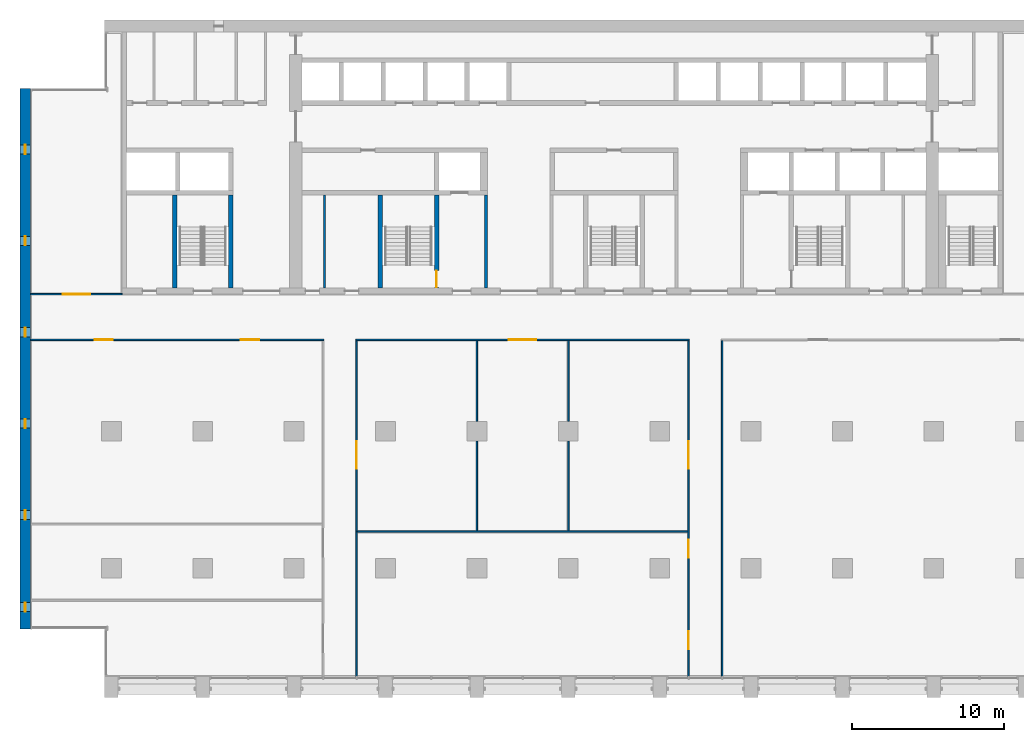
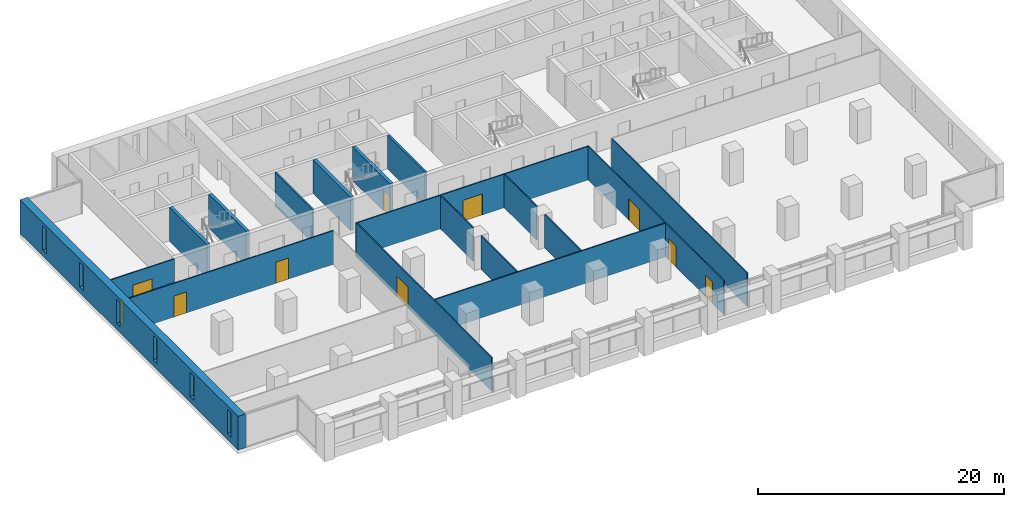
# One storey, part 8 of 15: 18 walls, 9 doors, 6 windows, 15 openings.
"""IFC4 building model written with IfcOpenShell, lengths in metres."""

from ifc_helpers import new_model, si_unit, direction, frame, frame_2d, origin, place, context, subcontext, project, spatial, rectangle, extrude, material, layer, layer_set, type_object, element, fill, save


model = new_model("IFC4")

# Units and contexts
model_context = context("Model", 3, precision=1e-05, world=origin(), true_north=direction((0.0, 1.0)))
body_context = subcontext(model_context, "Body", "Model", "MODEL_VIEW")
ifc_project = project(units=[si_unit("LENGTHUNIT", "METRE"), si_unit("AREAUNIT", "SQUARE_METRE"), si_unit("VOLUMEUNIT", "CUBIC_METRE"), si_unit("PLANEANGLEUNIT", "RADIAN"), si_unit("MASSUNIT", "GRAM", prefix="KILO")], contexts=[model_context])

# Site, building, storey
site_placement = place(None, origin())
site = spatial("IfcSite", under=ifc_project, at=site_placement, CompositionType="ELEMENT")
building_placement = place(site_placement, origin())
building = spatial("IfcBuilding", under=site, at=building_placement, Name="Calvaro Tower", CompositionType="ELEMENT")
storey_placement = place(building_placement, frame((0.0, 0.0, 125.0)))
storey = spatial("IfcBuildingStorey", under=building, at=storey_placement, Name="L31", CompositionType="ELEMENT", Elevation=125.0)

# Walls
ifc_material_1 = material(Name="Blockwork partition", Category="masonry")
ifc_layer_1 = layer(ifc_material_1, 0.14990234375)
ifc_layer_set_1 = layer_set([ifc_layer_1], Name="Blockwork partition")
wall_type_1 = type_object("IfcWallType", Name="Core partition 150 REI 120", PredefinedType="PARTITIONING", material=ifc_layer_set_1)
wall_1_placement = place(storey_placement, frame((20.0, 28.39990234375, 0.0), z_axis=(0.0, 0.0, 1.0), x_axis=(0.0, 1.0, 0.0)))
element("IfcWall", 1, at=wall_1_placement, inside=storey, type_object=wall_type_1, Name="Core partition", PredefinedType="PARTITIONING", context=body_context, shape_type="SweptSolid", body=[
    extrude(rectangle(XDim=6.10009765625, YDim=0.14990234375, at=frame_2d((3.050048828125, 0.0))), origin(), (0.0, 0.0, 1.0), 3.35009765625),
])
ifc_material_2 = material(Name="Blockwork partition", Category="masonry")
ifc_layer_2 = layer(ifc_material_2, 0.199951171875)
ifc_layer_set_2 = layer_set([ifc_layer_2], Name="Blockwork partition")
wall_type_2 = type_object("IfcWallType", Name="Core partition 200 REI 120", PredefinedType="PARTITIONING", material=ifc_layer_set_2)
wall_2_placement = place(storey_placement, frame((30.60009765625, 28.39990234375, 0.0), z_axis=(0.0, 0.0, 1.0), x_axis=(0.0, 1.0, 0.0)))
element("IfcWall", 2, at=wall_2_placement, inside=storey, type_object=wall_type_2, Name="Core partition", PredefinedType="PARTITIONING", context=body_context, shape_type="SweptSolid", body=[
    extrude(rectangle(XDim=6.10009765625, YDim=0.199951171875, at=frame_2d((3.050048828125, 0.0))), origin(), (0.0, 0.0, 1.0), 3.35009765625),
])
ifc_material_3 = material(Name="Concrete C60/75", Category="concrete")
ifc_layer_3 = layer(ifc_material_3, 0.300048828125)
ifc_layer_set_3 = layer_set([ifc_layer_3], Name="Concrete C60/75")
wall_type_3 = type_object("IfcWallType", Name="Core wall C60/75 300", PredefinedType="SHEAR", material=ifc_layer_set_3)
for number, where, z_axis, x_axis, name in (
    (3, (10.14990234375, 28.39990234375, 0.0), (0.0, 0.0, 1.0), (0.0, 1.0, 0.0), "Core wall, stair enclosure"),
    (4, (13.85009765625, 28.39990234375, 0.0), (0.0, 0.0, 1.0), (0.0, 1.0, 0.0), "Core wall, stair enclosure"),
    (5, (23.64990234375, 28.39990234375, 0.0), (0.0, 0.0, 1.0), (0.0, 1.0, 0.0), "Core wall, stair enclosure"),
):
    element("IfcWall", number, at=place(storey_placement, frame(where, z_axis=z_axis, x_axis=x_axis)), inside=storey, type_object=wall_type_3, Name=name, PredefinedType="SHEAR", context=body_context, shape_type="SweptSolid", body=[
        extrude(rectangle(XDim=6.10009765625, YDim=0.300048828125, at=frame_2d((3.050048828125, 0.0))), origin(), (0.0, 0.0, 1.0), 3.35009765625),
    ])

# Wall, opening, door
wall_3_placement = place(storey_placement, frame((27.35009765625, 28.39990234375, 0.0), z_axis=(0.0, 0.0, 1.0), x_axis=(0.0, 1.0, 0.0)))
wall_3 = element("IfcWall", 6, at=wall_3_placement, inside=storey, type_object=wall_type_3, Name="Core wall, stair enclosure", PredefinedType="SHEAR", context=body_context, shape_type="SweptSolid", body=[
    extrude(rectangle(XDim=6.10009765625, YDim=0.300048828125, at=frame_2d((3.050048828125, 0.0))), origin(), (0.0, 0.0, 1.0), 3.35009765625),
])
opening_1_placement = place(wall_3_placement, frame((0.050048828125, 0.0, 0.0)))
opening_1 = element("IfcOpeningElement", 7, at=opening_1_placement, cuts=wall_3, Name="Opening FD11D", PredefinedType="OPENING", context=body_context, shape_type="SweptSolid", body=[
    extrude(rectangle(XDim=1.10009765625, YDim=2.10009765625, at=frame_2d((0.550048828125, 1.050048828125))), frame((0.0, 0.159912109375, 0.0), z_axis=(0.0, -1.0, 0.0), x_axis=(1.0, 0.0, 0.0)), (0.0, 0.0, 1.0), 0.320068359375),
])
ifc_material_4 = material(Name="Steel door set", Category="steel")
door_type_1 = type_object("IfcDoorType", Name="Fire door 1100 FD30S", OperationType="SINGLE_SWING_LEFT", PredefinedType="DOOR", material=ifc_material_4)
door_1_placement = place(opening_1_placement, origin())
door_1 = element("IfcDoor", 8, at=door_1_placement, inside=storey, type_object=door_type_1, Name="Fire door", OperationType="SINGLE_SWING_LEFT", OverallHeight=2.10009765625, OverallWidth=1.10009765625, PredefinedType="DOOR", context=body_context, shape_type="SweptSolid", body=[
    extrude(rectangle(XDim=1.10009765625, YDim=2.10009765625, at=frame_2d((0.550048828125, 1.050048828125))), frame((0.0, 0.02490234375, 0.0), z_axis=(0.0, -1.0, 0.0), x_axis=(1.0, 0.0, 0.0)), (0.0, 0.0, 1.0), 0.050048828125),
])
fill(opening_1, door_1)

# Wall, openings, windows
ifc_material_5 = material(Name="Concrete C60/75", Category="concrete")
ifc_layer_4 = layer(ifc_material_5, 0.699951171875)
ifc_layer_set_4 = layer_set([ifc_layer_4], Name="Concrete C60/75")
wall_type_4 = type_object("IfcWallType", Name="End wall 700 C60/75", PredefinedType="SHEAR", material=ifc_layer_set_4)
wall_4_placement = place(storey_placement, frame((0.35009765625, 6.0, 0.0), z_axis=(0.0, 0.0, 1.0), x_axis=(0.0, 1.0, 0.0)))
wall_4 = element("IfcWall", 9, at=wall_4_placement, inside=storey, type_object=wall_type_4, Name="End shear wall", PredefinedType="SHEAR", context=body_context, shape_type="SweptSolid", body=[
    extrude(rectangle(XDim=35.5, YDim=0.699951171875, at=frame_2d((17.75, 0.0))), origin(), (0.0, 0.0, 1.0), 3.35009765625),
])
opening_2_placement = place(wall_4_placement, frame((1.14990234375, 0.0, 0.60009765625)))
opening_2 = element("IfcOpeningElement", 10, at=opening_2_placement, cuts=wall_4, Name="Opening WW01", PredefinedType="OPENING", context=body_context, shape_type="SweptSolid", body=[
    extrude(rectangle(XDim=0.60009765625, YDim=2.39990234375, at=frame_2d((0.300048828125, 1.199951171875))), frame((0.0, 0.35986328125, 0.0), z_axis=(0.0, -1.0, 0.0), x_axis=(1.0, 0.0, 0.0)), (0.0, 0.0, 1.0), 0.719970703125),
])
opening_3_placement = place(wall_4_placement, frame((7.199951171875, 0.0, 0.60009765625)))
opening_3 = element("IfcOpeningElement", 11, at=opening_3_placement, cuts=wall_4, Name="Opening WW02", PredefinedType="OPENING", context=body_context, shape_type="SweptSolid", body=[
    extrude(rectangle(XDim=0.60009765625, YDim=2.39990234375, at=frame_2d((0.300048828125, 1.199951171875))), frame((0.0, 0.35986328125, 0.0), z_axis=(0.0, -1.0, 0.0), x_axis=(1.0, 0.0, 0.0)), (0.0, 0.0, 1.0), 0.719970703125),
])
opening_4_placement = place(wall_4_placement, frame((13.199951171875, 0.0, 0.60009765625)))
opening_4 = element("IfcOpeningElement", 12, at=opening_4_placement, cuts=wall_4, Name="Opening WW03", PredefinedType="OPENING", context=body_context, shape_type="SweptSolid", body=[
    extrude(rectangle(XDim=0.60009765625, YDim=2.39990234375, at=frame_2d((0.300048828125, 1.199951171875))), frame((0.0, 0.35986328125, 0.0), z_axis=(0.0, -1.0, 0.0), x_axis=(1.0, 0.0, 0.0)), (0.0, 0.0, 1.0), 0.719970703125),
])
opening_5_placement = place(wall_4_placement, frame((19.199951171875, 0.0, 0.60009765625)))
opening_5 = element("IfcOpeningElement", 13, at=opening_5_placement, cuts=wall_4, Name="Opening WW04", PredefinedType="OPENING", context=body_context, shape_type="SweptSolid", body=[
    extrude(rectangle(XDim=0.60009765625, YDim=2.39990234375, at=frame_2d((0.300048828125, 1.199951171875))), frame((0.0, 0.35986328125, 0.0), z_axis=(0.0, -1.0, 0.0), x_axis=(1.0, 0.0, 0.0)), (0.0, 0.0, 1.0), 0.719970703125),
])
opening_6_placement = place(wall_4_placement, frame((25.199951171875, 0.0, 0.60009765625)))
opening_6 = element("IfcOpeningElement", 14, at=opening_6_placement, cuts=wall_4, Name="Opening WW05", PredefinedType="OPENING", context=body_context, shape_type="SweptSolid", body=[
    extrude(rectangle(XDim=0.60009765625, YDim=2.39990234375, at=frame_2d((0.300048828125, 1.199951171875))), frame((0.0, 0.35986328125, 0.0), z_axis=(0.0, -1.0, 0.0), x_axis=(1.0, 0.0, 0.0)), (0.0, 0.0, 1.0), 0.719970703125),
])
opening_7_placement = place(wall_4_placement, frame((31.199951171875, 0.0, 0.60009765625)))
opening_7 = element("IfcOpeningElement", 15, at=opening_7_placement, cuts=wall_4, Name="Opening WW06", PredefinedType="OPENING", context=body_context, shape_type="SweptSolid", body=[
    extrude(rectangle(XDim=0.60009765625, YDim=2.39990234375, at=frame_2d((0.300048828125, 1.199951171875))), frame((0.0, 0.35986328125, 0.0), z_axis=(0.0, -1.0, 0.0), x_axis=(1.0, 0.0, 0.0)), (0.0, 0.0, 1.0), 0.719970703125),
])
ifc_material_6 = material(Name="Glass", Category="glass")
window_type = type_object("IfcWindowType", Name="Slit window 600 x 2400", PartitioningType="SINGLE_PANEL", PredefinedType="WINDOW", material=ifc_material_6)
window_1_placement = place(opening_2_placement, origin())
window_1 = element("IfcWindow", 16, at=window_1_placement, inside=storey, type_object=window_type, Name="Window WW01", OverallHeight=2.39990234375, OverallWidth=0.60009765625, PartitioningType="SINGLE_PANEL", PredefinedType="WINDOW", context=body_context, shape_type="SweptSolid", body=[
    extrude(rectangle(XDim=0.60009765625, YDim=2.39990234375, at=frame_2d((0.300048828125, 1.199951171875))), frame((0.0, 0.030029296875, 0.0), z_axis=(0.0, -1.0, 0.0), x_axis=(1.0, 0.0, 0.0)), (0.0, 0.0, 1.0), 0.06005859375),
])
fill(opening_2, window_1)
window_2_placement = place(opening_3_placement, origin())
window_2 = element("IfcWindow", 17, at=window_2_placement, inside=storey, type_object=window_type, Name="Window WW02", OverallHeight=2.39990234375, OverallWidth=0.60009765625, PartitioningType="SINGLE_PANEL", PredefinedType="WINDOW", context=body_context, shape_type="SweptSolid", body=[
    extrude(rectangle(XDim=0.60009765625, YDim=2.39990234375, at=frame_2d((0.300048828125, 1.199951171875))), frame((0.0, 0.030029296875, 0.0), z_axis=(0.0, -1.0, 0.0), x_axis=(1.0, 0.0, 0.0)), (0.0, 0.0, 1.0), 0.06005859375),
])
fill(opening_3, window_2)
window_3_placement = place(opening_4_placement, origin())
window_3 = element("IfcWindow", 18, at=window_3_placement, inside=storey, type_object=window_type, Name="Window WW03", OverallHeight=2.39990234375, OverallWidth=0.60009765625, PartitioningType="SINGLE_PANEL", PredefinedType="WINDOW", context=body_context, shape_type="SweptSolid", body=[
    extrude(rectangle(XDim=0.60009765625, YDim=2.39990234375, at=frame_2d((0.300048828125, 1.199951171875))), frame((0.0, 0.030029296875, 0.0), z_axis=(0.0, -1.0, 0.0), x_axis=(1.0, 0.0, 0.0)), (0.0, 0.0, 1.0), 0.06005859375),
])
fill(opening_4, window_3)
window_4_placement = place(opening_5_placement, origin())
window_4 = element("IfcWindow", 19, at=window_4_placement, inside=storey, type_object=window_type, Name="Window WW04", OverallHeight=2.39990234375, OverallWidth=0.60009765625, PartitioningType="SINGLE_PANEL", PredefinedType="WINDOW", context=body_context, shape_type="SweptSolid", body=[
    extrude(rectangle(XDim=0.60009765625, YDim=2.39990234375, at=frame_2d((0.300048828125, 1.199951171875))), frame((0.0, 0.030029296875, 0.0), z_axis=(0.0, -1.0, 0.0), x_axis=(1.0, 0.0, 0.0)), (0.0, 0.0, 1.0), 0.06005859375),
])
fill(opening_5, window_4)
window_5_placement = place(opening_6_placement, origin())
window_5 = element("IfcWindow", 20, at=window_5_placement, inside=storey, type_object=window_type, Name="Window WW05", OverallHeight=2.39990234375, OverallWidth=0.60009765625, PartitioningType="SINGLE_PANEL", PredefinedType="WINDOW", context=body_context, shape_type="SweptSolid", body=[
    extrude(rectangle(XDim=0.60009765625, YDim=2.39990234375, at=frame_2d((0.300048828125, 1.199951171875))), frame((0.0, 0.030029296875, 0.0), z_axis=(0.0, -1.0, 0.0), x_axis=(1.0, 0.0, 0.0)), (0.0, 0.0, 1.0), 0.06005859375),
])
fill(opening_6, window_5)
window_6_placement = place(opening_7_placement, origin())
window_6 = element("IfcWindow", 21, at=window_6_placement, inside=storey, type_object=window_type, Name="Window WW06", OverallHeight=2.39990234375, OverallWidth=0.60009765625, PartitioningType="SINGLE_PANEL", PredefinedType="WINDOW", context=body_context, shape_type="SweptSolid", body=[
    extrude(rectangle(XDim=0.60009765625, YDim=2.39990234375, at=frame_2d((0.300048828125, 1.199951171875))), frame((0.0, 0.030029296875, 0.0), z_axis=(0.0, -1.0, 0.0), x_axis=(1.0, 0.0, 0.0)), (0.0, 0.0, 1.0), 0.06005859375),
])
fill(opening_7, window_6)

# Wall
ifc_material_7 = material(Name="Plasterboard on steel studs", Category="steel")
ifc_layer_5 = layer(ifc_material_7, 0.10009765625)
ifc_layer_set_5 = layer_set([ifc_layer_5], Name="Plasterboard on steel studs")
wall_type_5 = type_object("IfcWallType", Name="Partition 100", PredefinedType="PARTITIONING", material=ifc_layer_set_5)
wall_5_placement = place(storey_placement, frame((22.14990234375, 12.39990234375, 0.0), z_axis=(0.0, 0.0, 1.0), x_axis=(1.0, 0.0, 0.0)))
element("IfcWall", 22, at=wall_5_placement, inside=storey, type_object=wall_type_5, Name="Partition T19.W002", PredefinedType="PARTITIONING", context=body_context, shape_type="SweptSolid", body=[
    extrude(rectangle(XDim=21.7001953125, YDim=0.10009765625, at=frame_2d((10.85009765625, 0.0))), origin(), (0.0, 0.0, 1.0), 3.35009765625),
])

# Wall, openings, doors
wall_6_placement = place(storey_placement, frame((0.699951171875, 25.0, 0.0), z_axis=(0.0, 0.0, 1.0), x_axis=(1.0, 0.0, 0.0)))
wall_6 = element("IfcWall", 23, at=wall_6_placement, inside=storey, type_object=wall_type_5, Name="Partition T19.W004", PredefinedType="PARTITIONING", context=body_context, shape_type="SweptSolid", body=[
    extrude(rectangle(XDim=19.25, YDim=0.10009765625, at=frame_2d((9.625, 0.0))), origin(), (0.0, 0.0, 1.0), 3.35009765625),
])
opening_8_placement = place(wall_6_placement, frame((4.199951171875, 0.0, 0.0)))
opening_8 = element("IfcOpeningElement", 24, at=opening_8_placement, cuts=wall_6, Name="Opening T19.010", PredefinedType="OPENING", context=body_context, shape_type="SweptSolid", body=[
    extrude(rectangle(XDim=1.199951171875, YDim=2.10009765625, at=frame_2d((0.60009765625, 1.050048828125))), frame((0.0, 0.06005859375, 0.0), z_axis=(0.0, -1.0, 0.0), x_axis=(1.0, 0.0, 0.0)), (0.0, 0.0, 1.0), 0.1201171875),
])
opening_9_placement = place(wall_6_placement, frame((13.800048828125, 0.0, 0.0)))
opening_9 = element("IfcOpeningElement", 25, at=opening_9_placement, cuts=wall_6, Name="Opening T19.011", PredefinedType="OPENING", context=body_context, shape_type="SweptSolid", body=[
    extrude(rectangle(XDim=1.199951171875, YDim=2.10009765625, at=frame_2d((0.60009765625, 1.050048828125))), frame((0.0, 0.06005859375, 0.0), z_axis=(0.0, -1.0, 0.0), x_axis=(1.0, 0.0, 0.0)), (0.0, 0.0, 1.0), 0.1201171875),
])
ifc_material_8 = material(Name="Timber", Category="wood")
door_type_2 = type_object("IfcDoorType", Name="Internal single door 1200 x 2100", OperationType="SINGLE_SWING_LEFT", PredefinedType="DOOR", material=ifc_material_8)
door_2_placement = place(opening_8_placement, origin())
door_2 = element("IfcDoor", 26, at=door_2_placement, inside=storey, type_object=door_type_2, Name="Door T19.010", OperationType="SINGLE_SWING_LEFT", OverallHeight=2.10009765625, OverallWidth=1.199951171875, PredefinedType="DOOR", context=body_context, shape_type="SweptSolid", body=[
    extrude(rectangle(XDim=1.199951171875, YDim=2.10009765625, at=frame_2d((0.60009765625, 1.050048828125))), frame((0.0, 0.02490234375, 0.0), z_axis=(0.0, -1.0, 0.0), x_axis=(1.0, 0.0, 0.0)), (0.0, 0.0, 1.0), 0.050048828125),
])
fill(opening_8, door_2)
door_3_placement = place(opening_9_placement, origin())
door_3 = element("IfcDoor", 27, at=door_3_placement, inside=storey, type_object=door_type_2, Name="Door T19.011", OperationType="SINGLE_SWING_RIGHT", OverallHeight=2.10009765625, OverallWidth=1.199951171875, PredefinedType="DOOR", context=body_context, shape_type="SweptSolid", body=[
    extrude(rectangle(XDim=1.199951171875, YDim=2.10009765625, at=frame_2d((0.60009765625, 1.050048828125))), frame((0.0, 0.02490234375, 0.0), z_axis=(0.0, -1.0, 0.0), x_axis=(1.0, 0.0, 0.0)), (0.0, 0.0, 1.0), 0.050048828125),
])
fill(opening_9, door_3)

# Wall, opening, door
wall_7_placement = place(storey_placement, frame((22.050048828125, 25.0, 0.0), z_axis=(0.0, 0.0, 1.0), x_axis=(1.0, 0.0, 0.0)))
wall_7 = element("IfcWall", 28, at=wall_7_placement, inside=storey, type_object=wall_type_5, Name="Partition T19.W005", PredefinedType="PARTITIONING", context=body_context, shape_type="SweptSolid", body=[
    extrude(rectangle(XDim=21.89990234375, YDim=0.10009765625, at=frame_2d((10.949951171875, 0.0))), origin(), (0.0, 0.0, 1.0), 3.35009765625),
])
opening_10_placement = place(wall_7_placement, frame((10.050048828125, 0.0, 0.0)))
opening_10 = element("IfcOpeningElement", 29, at=opening_10_placement, cuts=wall_7, Name="Opening T19.008", PredefinedType="OPENING", context=body_context, shape_type="SweptSolid", body=[
    extrude(rectangle(XDim=1.800048828125, YDim=2.10009765625, at=frame_2d((0.89990234375, 1.050048828125))), frame((0.0, 0.06005859375, 0.0), z_axis=(0.0, -1.0, 0.0), x_axis=(1.0, 0.0, 0.0)), (0.0, 0.0, 1.0), 0.1201171875),
])
ifc_material_9 = material(Name="Timber", Category="wood")
door_type_3 = type_object("IfcDoorType", Name="Internal double door 1800 x 2100", OperationType="DOUBLE_DOOR_SINGLE_SWING", PredefinedType="DOOR", material=ifc_material_9)
door_4_placement = place(opening_10_placement, origin())
door_4 = element("IfcDoor", 30, at=door_4_placement, inside=storey, type_object=door_type_3, Name="Door T19.008", OperationType="DOUBLE_DOOR_SINGLE_SWING", OverallHeight=2.10009765625, OverallWidth=1.800048828125, PredefinedType="DOOR", context=body_context, shape_type="SweptSolid", body=[
    extrude(rectangle(XDim=1.800048828125, YDim=2.10009765625, at=frame_2d((0.89990234375, 1.050048828125))), frame((0.0, 0.02490234375, 0.0), z_axis=(0.0, -1.0, 0.0), x_axis=(1.0, 0.0, 0.0)), (0.0, 0.0, 1.0), 0.050048828125),
])
fill(opening_10, door_4)

wall_8_placement = place(storey_placement, frame((0.699951171875, 28.0, 0.0), z_axis=(0.0, 0.0, 1.0), x_axis=(1.0, 0.0, 0.0)))
wall_8 = element("IfcWall", 31, at=wall_8_placement, inside=storey, type_object=wall_type_5, Name="Partition T19.W007", PredefinedType="PARTITIONING", context=body_context, shape_type="SweptSolid", body=[
    extrude(rectangle(XDim=6.0, YDim=0.10009765625, at=frame_2d((3.0, 0.0))), origin(), (0.0, 0.0, 1.0), 3.35009765625),
])
opening_11_placement = place(wall_8_placement, frame((2.10009765625, 0.0, 0.0)))
opening_11 = element("IfcOpeningElement", 32, at=opening_11_placement, cuts=wall_8, Name="Opening T19.012", PredefinedType="OPENING", context=body_context, shape_type="SweptSolid", body=[
    extrude(rectangle(XDim=1.800048828125, YDim=2.10009765625, at=frame_2d((0.89990234375, 1.050048828125))), frame((0.0, 0.06005859375, 0.0), z_axis=(0.0, -1.0, 0.0), x_axis=(1.0, 0.0, 0.0)), (0.0, 0.0, 1.0), 0.1201171875),
])
door_5_placement = place(opening_11_placement, origin())
door_5 = element("IfcDoor", 33, at=door_5_placement, inside=storey, type_object=door_type_3, Name="Door T19.012", OperationType="DOUBLE_DOOR_SINGLE_SWING", OverallHeight=2.10009765625, OverallWidth=1.800048828125, PredefinedType="DOOR", context=body_context, shape_type="SweptSolid", body=[
    extrude(rectangle(XDim=1.800048828125, YDim=2.10009765625, at=frame_2d((0.89990234375, 1.050048828125))), frame((0.0, 0.02490234375, 0.0), z_axis=(0.0, -1.0, 0.0), x_axis=(1.0, 0.0, 0.0)), (0.0, 0.0, 1.0), 0.050048828125),
])
fill(opening_11, door_5)

wall_9_placement = place(storey_placement, frame((22.10009765625, 2.89990234375, 0.0), z_axis=(0.0, 0.0, 1.0), x_axis=(0.0, 1.0, 0.0)))
wall_9 = element("IfcWall", 34, at=wall_9_placement, inside=storey, type_object=wall_type_5, Name="Partition T19.W010", PredefinedType="PARTITIONING", context=body_context, shape_type="SweptSolid", body=[
    extrude(rectangle(XDim=22.050048828125, YDim=0.10009765625, at=frame_2d((11.02490234375, 0.0))), origin(), (0.0, 0.0, 1.0), 3.35009765625),
])
opening_12_placement = place(wall_9_placement, frame((13.64990234375, 0.0, 0.0)))
opening_12 = element("IfcOpeningElement", 35, at=opening_12_placement, cuts=wall_9, Name="Opening T19.007", PredefinedType="OPENING", context=body_context, shape_type="SweptSolid", body=[
    extrude(rectangle(XDim=1.800048828125, YDim=2.10009765625, at=frame_2d((0.89990234375, 1.050048828125))), frame((0.0, 0.06005859375, 0.0), z_axis=(0.0, -1.0, 0.0), x_axis=(1.0, 0.0, 0.0)), (0.0, 0.0, 1.0), 0.1201171875),
])
door_6_placement = place(opening_12_placement, origin())
door_6 = element("IfcDoor", 36, at=door_6_placement, inside=storey, type_object=door_type_3, Name="Door T19.007", OperationType="DOUBLE_DOOR_SINGLE_SWING", OverallHeight=2.10009765625, OverallWidth=1.800048828125, PredefinedType="DOOR", context=body_context, shape_type="SweptSolid", body=[
    extrude(rectangle(XDim=1.800048828125, YDim=2.10009765625, at=frame_2d((0.89990234375, 1.050048828125))), frame((0.0, 0.02490234375, 0.0), z_axis=(0.0, -1.0, 0.0), x_axis=(1.0, 0.0, 0.0)), (0.0, 0.0, 1.0), 0.050048828125),
])
fill(opening_12, door_6)

# Walls
wall_10_placement = place(storey_placement, frame((30.0, 12.449951171875, 0.0), z_axis=(0.0, 0.0, 1.0), x_axis=(0.0, 1.0, 0.0)))
element("IfcWall", 37, at=wall_10_placement, inside=storey, type_object=wall_type_5, Name="Partition T19.W011", PredefinedType="PARTITIONING", context=body_context, shape_type="SweptSolid", body=[
    extrude(rectangle(XDim=5.900146484375, YDim=0.10009765625, at=frame_2d((2.9501953125, 0.0))), origin(), (0.0, 0.0, 1.0), 3.35009765625),
])
wall_11_placement = place(storey_placement, frame((30.0, 19.64990234375, 0.0), z_axis=(0.0, 0.0, 1.0), x_axis=(0.0, 1.0, 0.0)))
element("IfcWall", 38, at=wall_11_placement, inside=storey, type_object=wall_type_5, Name="Partition T19.W012", PredefinedType="PARTITIONING", context=body_context, shape_type="SweptSolid", body=[
    extrude(rectangle(XDim=5.300048828125, YDim=0.10009765625, at=frame_2d((2.64990234375, 0.0))), origin(), (0.0, 0.0, 1.0), 3.35009765625),
])
wall_12_placement = place(storey_placement, frame((36.0, 12.449951171875, 0.0), z_axis=(0.0, 0.0, 1.0), x_axis=(0.0, 1.0, 0.0)))
element("IfcWall", 39, at=wall_12_placement, inside=storey, type_object=wall_type_5, Name="Partition T19.W013", PredefinedType="PARTITIONING", context=body_context, shape_type="SweptSolid", body=[
    extrude(rectangle(XDim=5.900146484375, YDim=0.10009765625, at=frame_2d((2.9501953125, 0.0))), origin(), (0.0, 0.0, 1.0), 3.35009765625),
])
wall_13_placement = place(storey_placement, frame((36.0, 19.64990234375, 0.0), z_axis=(0.0, 0.0, 1.0), x_axis=(0.0, 1.0, 0.0)))
element("IfcWall", 40, at=wall_13_placement, inside=storey, type_object=wall_type_5, Name="Partition T19.W014", PredefinedType="PARTITIONING", context=body_context, shape_type="SweptSolid", body=[
    extrude(rectangle(XDim=5.300048828125, YDim=0.10009765625, at=frame_2d((2.64990234375, 0.0))), origin(), (0.0, 0.0, 1.0), 3.35009765625),
])

# Wall, openings, doors
wall_14_placement = place(storey_placement, frame((43.89990234375, 2.89990234375, 0.0), z_axis=(0.0, 0.0, 1.0), x_axis=(0.0, 1.0, 0.0)))
wall_14 = element("IfcWall", 41, at=wall_14_placement, inside=storey, type_object=wall_type_5, Name="Partition T19.W015", PredefinedType="PARTITIONING", context=body_context, shape_type="SweptSolid", body=[
    extrude(rectangle(XDim=22.050048828125, YDim=0.10009765625, at=frame_2d((11.02490234375, 0.0))), origin(), (0.0, 0.0, 1.0), 3.35009765625),
])
opening_13_placement = place(wall_14_placement, frame((1.77490234375, 0.0, 0.0)))
opening_13 = element("IfcOpeningElement", 42, at=opening_13_placement, cuts=wall_14, Name="Opening T19.002", PredefinedType="OPENING", context=body_context, shape_type="SweptSolid", body=[
    extrude(rectangle(XDim=1.199951171875, YDim=2.10009765625, at=frame_2d((0.60009765625, 1.050048828125))), frame((0.0, 0.06005859375, 0.0), z_axis=(0.0, -1.0, 0.0), x_axis=(1.0, 0.0, 0.0)), (0.0, 0.0, 1.0), 0.1201171875),
])
opening_14_placement = place(wall_14_placement, frame((7.77490234375, 0.0, 0.0)))
opening_14 = element("IfcOpeningElement", 43, at=opening_14_placement, cuts=wall_14, Name="Opening T19.003", PredefinedType="OPENING", context=body_context, shape_type="SweptSolid", body=[
    extrude(rectangle(XDim=1.199951171875, YDim=2.10009765625, at=frame_2d((0.60009765625, 1.050048828125))), frame((0.0, 0.06005859375, 0.0), z_axis=(0.0, -1.0, 0.0), x_axis=(1.0, 0.0, 0.0)), (0.0, 0.0, 1.0), 0.1201171875),
])
opening_15_placement = place(wall_14_placement, frame((13.64990234375, 0.0, 0.0)))
opening_15 = element("IfcOpeningElement", 44, at=opening_15_placement, cuts=wall_14, Name="Opening T19.009", PredefinedType="OPENING", context=body_context, shape_type="SweptSolid", body=[
    extrude(rectangle(XDim=1.800048828125, YDim=2.10009765625, at=frame_2d((0.89990234375, 1.050048828125))), frame((0.0, 0.06005859375, 0.0), z_axis=(0.0, -1.0, 0.0), x_axis=(1.0, 0.0, 0.0)), (0.0, 0.0, 1.0), 0.1201171875),
])
door_7_placement = place(opening_15_placement, origin())
door_7 = element("IfcDoor", 45, at=door_7_placement, inside=storey, type_object=door_type_3, Name="Door T19.009", OperationType="DOUBLE_DOOR_SINGLE_SWING", OverallHeight=2.10009765625, OverallWidth=1.800048828125, PredefinedType="DOOR", context=body_context, shape_type="SweptSolid", body=[
    extrude(rectangle(XDim=1.800048828125, YDim=2.10009765625, at=frame_2d((0.89990234375, 1.050048828125))), frame((0.0, 0.02490234375, 0.0), z_axis=(0.0, -1.0, 0.0), x_axis=(1.0, 0.0, 0.0)), (0.0, 0.0, 1.0), 0.050048828125),
])
fill(opening_15, door_7)
door_8_placement = place(opening_13_placement, origin())
door_8 = element("IfcDoor", 46, at=door_8_placement, inside=storey, type_object=door_type_2, Name="Door T19.002", OperationType="SINGLE_SWING_LEFT", OverallHeight=2.10009765625, OverallWidth=1.199951171875, PredefinedType="DOOR", context=body_context, shape_type="SweptSolid", body=[
    extrude(rectangle(XDim=1.199951171875, YDim=2.10009765625, at=frame_2d((0.60009765625, 1.050048828125))), frame((0.0, 0.02490234375, 0.0), z_axis=(0.0, -1.0, 0.0), x_axis=(1.0, 0.0, 0.0)), (0.0, 0.0, 1.0), 0.050048828125),
])
fill(opening_13, door_8)
door_9_placement = place(opening_14_placement, origin())
door_9 = element("IfcDoor", 47, at=door_9_placement, inside=storey, type_object=door_type_2, Name="Door T19.003", OperationType="SINGLE_SWING_LEFT", OverallHeight=2.10009765625, OverallWidth=1.199951171875, PredefinedType="DOOR", context=body_context, shape_type="SweptSolid", body=[
    extrude(rectangle(XDim=1.199951171875, YDim=2.10009765625, at=frame_2d((0.60009765625, 1.050048828125))), frame((0.0, 0.02490234375, 0.0), z_axis=(0.0, -1.0, 0.0), x_axis=(1.0, 0.0, 0.0)), (0.0, 0.0, 1.0), 0.050048828125),
])
fill(opening_14, door_9)

# Wall
wall_15_placement = place(storey_placement, frame((46.10009765625, 2.89990234375, 0.0), z_axis=(0.0, 0.0, 1.0), x_axis=(0.0, 1.0, 0.0)))
element("IfcWall", 48, at=wall_15_placement, inside=storey, type_object=wall_type_5, Name="Partition T19.W016", PredefinedType="PARTITIONING", context=body_context, shape_type="SweptSolid", body=[
    extrude(rectangle(XDim=22.050048828125, YDim=0.10009765625, at=frame_2d((11.02490234375, 0.0))), origin(), (0.0, 0.0, 1.0), 3.35009765625),
])

save(model, "model.ifc")
